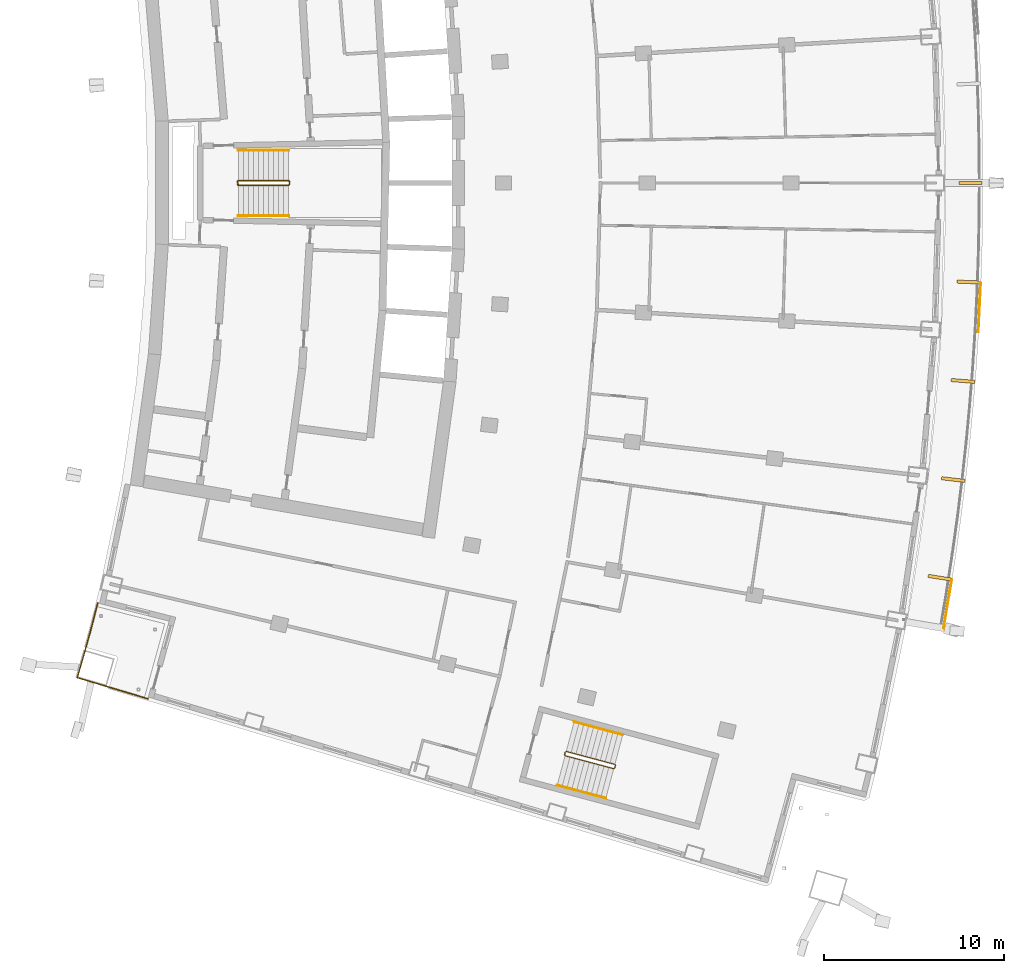
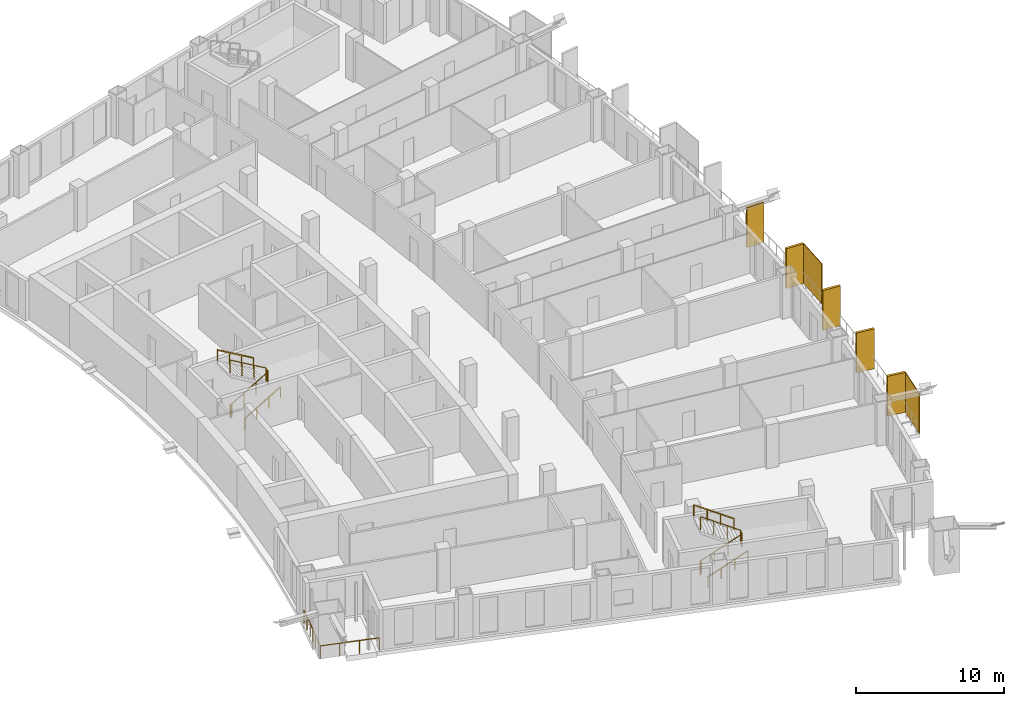
# One storey, part 20 of 22: 7 railings, 7 shading devices.
"""IFC4 building model written with IfcOpenShell, lengths in metres."""

from ifc_helpers import new_model, si_unit, direction, frame, origin, origin_with_axes, origin_2d, place, context, subcontext, project, spatial, rectangle, extrude, material, layer, layer_set, type_object, element, save


model = new_model("IFC4")

# Units and contexts
model_context = context("Model", 3, precision=1e-05, world=origin(), true_north=direction((0.0, 1.0)))
body_context = subcontext(model_context, "Body", "Model", "MODEL_VIEW")
ifc_project = project(units=[si_unit("LENGTHUNIT", "METRE"), si_unit("AREAUNIT", "SQUARE_METRE"), si_unit("VOLUMEUNIT", "CUBIC_METRE"), si_unit("PLANEANGLEUNIT", "RADIAN"), si_unit("MASSUNIT", "GRAM", prefix="KILO")], contexts=[model_context])

# Site, building, storey
site_placement = place(None, origin())
site = spatial("IfcSite", under=ifc_project, at=site_placement, CompositionType="ELEMENT")
building_placement = place(site_placement, origin())
building = spatial("IfcBuilding", under=site, at=building_placement, Name="Alderwake Tower", CompositionType="ELEMENT")
storey_placement = place(building_placement, frame((0.0, 0.0, 156.800048828125)))
storey = spatial("IfcBuildingStorey", under=building, at=storey_placement, Name="L38", CompositionType="ELEMENT", Elevation=156.800048828125)

# Railing
ifc_material_1 = material(Name="Stainless steel 316 rail and posts", Category="steel")
railing_type_1 = type_object("IfcRailingType", Name="Balcony guard 1100", PredefinedType="GUARDRAIL", material=ifc_material_1)
railing_1_placement = place(storey_placement, frame((13.210693359375, 37.612548828125, 0.0)))
element("IfcRailing", 1, at=railing_1_placement, inside=storey, type_object=railing_type_1, Name="Guard terrace RS", PredefinedType="GUARDRAIL", context=body_context, shape_type="SweptSolid", body=[
    extrude(rectangle(XDim=0.048095703125, YDim=0.048095703125, at=origin_2d()), frame((0.0, 0.0, 1.076171875), z_axis=(-0.251385381433, -0.967887075026, 0.0), x_axis=(0.967887075026, -0.251385381433, 0.0)), (0.0, 0.0, 1.0), 1.6015625),
    extrude(rectangle(XDim=0.048095703125, YDim=0.048095703125, at=origin_2d()), frame((-0.402587890625, -1.550048828125, 1.076171875), z_axis=(-0.266520638672, -0.963829211615, 0.0), x_axis=(0.963829211615, -0.266520638672, 0.0)), (0.0, 0.0, 1.0), 1.401611328125),
    extrude(rectangle(XDim=0.048095703125, YDim=0.048095703125, at=origin_2d()), frame((-0.776123046875, -2.90087890625, 1.076171875), z_axis=(-0.280093650878, -0.959972680204, 0.0), x_axis=(0.959972680204, -0.280093650878, 0.0)), (0.0, 0.0, 1.0), 1.30126953125),
    extrude(rectangle(XDim=0.048095703125, YDim=0.048095703125, at=origin_2d()), frame((-1.140625, -4.150146484375, 1.076171875), z_axis=(0.958066871889, -0.286544706789, 0.0), x_axis=(0.286544706789, 0.958066871889, 0.0)), (0.0, 0.0, 1.0), 4.099853515625),
    extrude(rectangle(XDim=0.0419921875, YDim=0.0419921875, at=origin_2d()), frame((0.0, 0.0, 0.0), z_axis=(0.0, 0.0, 1.0), x_axis=(-0.251385381433, -0.967887075026, 0.0)), (0.0, 0.0, 1.0), 1.052001953125),
    extrude(rectangle(XDim=0.0419921875, YDim=0.0419921875, at=origin_2d()), frame((-0.201171875, -0.77490234375, 0.0), z_axis=(0.0, 0.0, 1.0), x_axis=(-0.251385381433, -0.967887075026, 0.0)), (0.0, 0.0, 1.0), 1.052001953125),
    extrude(rectangle(XDim=0.0419921875, YDim=0.0419921875, at=origin_2d()), frame((-0.402587890625, -1.550048828125, 0.0), z_axis=(0.0, 0.0, 1.0), x_axis=(-0.266520638672, -0.963829211615, 0.0)), (0.0, 0.0, 1.0), 1.052001953125),
    extrude(rectangle(XDim=0.0419921875, YDim=0.0419921875, at=origin_2d()), frame((-0.58935546875, -2.2255859375, 0.0), z_axis=(0.0, 0.0, 1.0), x_axis=(-0.266520638672, -0.963829211615, 0.0)), (0.0, 0.0, 1.0), 1.052001953125),
    extrude(rectangle(XDim=0.0419921875, YDim=0.0419921875, at=origin_2d()), frame((-0.776123046875, -2.90087890625, 0.0), z_axis=(0.0, 0.0, 1.0), x_axis=(-0.280093650878, -0.959972680204, 0.0)), (0.0, 0.0, 1.0), 1.052001953125),
    extrude(rectangle(XDim=0.0419921875, YDim=0.0419921875, at=origin_2d()), frame((-1.140625, -4.150146484375, 0.0), z_axis=(0.0, 0.0, 1.0), x_axis=(0.958066871889, -0.286544706789, 0.0)), (0.0, 0.0, 1.0), 1.052001953125),
    extrude(rectangle(XDim=0.0419921875, YDim=0.0419921875, at=origin_2d()), frame((0.168701171875, -4.541748046875, 0.0), z_axis=(0.0, 0.0, 1.0), x_axis=(0.958066871889, -0.286544706789, 0.0)), (0.0, 0.0, 1.0), 1.052001953125),
    extrude(rectangle(XDim=0.0419921875, YDim=0.0419921875, at=origin_2d()), frame((1.47802734375, -4.933349609375, 0.0), z_axis=(0.0, 0.0, 1.0), x_axis=(0.958066871889, -0.286544706789, 0.0)), (0.0, 0.0, 1.0), 1.052001953125),
    extrude(rectangle(XDim=0.0419921875, YDim=0.0419921875, at=origin_2d()), frame((2.787353515625, -5.324951171875, 0.0), z_axis=(0.0, 0.0, 1.0), x_axis=(0.958066871889, -0.286544706789, 0.0)), (0.0, 0.0, 1.0), 1.052001953125),
])

# Shading devices
ifc_material_2 = material(Name="Bronze anodised aluminium", Category="aluminium")
ifc_layer_1 = layer(ifc_material_2, 0.179931640625)
ifc_layer_set_1 = layer_set([ifc_layer_1], Name="Facade fin 1300")
shading_device_type_1 = type_object("IfcShadingDeviceType", Name="Facade fin 1300", PredefinedType="USERDEFINED", material=ifc_layer_set_1)
for number, where, z_axis, x_axis, name in (
    (2, (60.0869140625, 39.02490234375, 0.0), (0.0, 0.0, 1.0), (0.987918787879, -0.154972476771, 0.0), "Fin"),
    (3, (60.83544921875, 44.489501953125, 0.0), (0.0, 0.0, 1.0), (0.993198315083, -0.116434990084, 0.0), "Fin"),
    (4, (61.37109375, 49.97900390625, 0.0), (0.0, 0.0, 1.0), (0.996975122026, -0.077721335943, 0.0), "Fin"),
    (5, (61.692626953125, 55.4853515625, 0.0), (0.0, 0.0, 1.0), (0.999243494356, -0.038890088543, 0.0), "Fin"),
    (6, (61.800048828125, 61.0, 0.0), (0.0, 0.0, 1.0), (1.0, 0.0, 0.0), "Fin"),
):
    element("IfcShadingDevice", number, at=place(storey_placement, frame(where, z_axis=z_axis, x_axis=x_axis)), inside=storey, type_object=shading_device_type_1, Name=name, ObjectType="FIN", PredefinedType="USERDEFINED", context=body_context, shape_type="SweptSolid", body=[
        extrude(rectangle(XDim=1.300048828125, YDim=0.179931640625, at=origin_2d()), origin(), (0.0, 0.0, 1.0), 3.280029296875),
    ])
ifc_material_3 = material(Name="Perforated bronze anodised aluminium", Category="aluminium")
ifc_layer_2 = layer(ifc_material_3, 0.050048828125)
ifc_layer_set_2 = layer_set([ifc_layer_2], Name="Perforated screen panel")
shading_device_type_2 = type_object("IfcShadingDeviceType", Name="Perforated screen panel", PredefinedType="USERDEFINED", material=ifc_layer_set_2)
for number, where, z_axis, x_axis, name in (
    (7, (60.5263671875, 37.55712890625, 0.0), (0.0, 0.0, 1.0), (0.986369013299, -0.164548380739, 0.0), "Screen panel"),
    (8, (62.300048828125, 54.078857421875, 0.0), (0.0, 0.0, 1.0), (0.998819231138, -0.048581308217, 0.0), "Screen panel"),
):
    element("IfcShadingDevice", number, at=place(storey_placement, frame(where, z_axis=z_axis, x_axis=x_axis)), inside=storey, type_object=shading_device_type_2, Name=name, ObjectType="SCREEN", PredefinedType="USERDEFINED", context=body_context, shape_type="SweptSolid", body=[
        extrude(rectangle(XDim=0.050048828125, YDim=2.763916015625, at=origin_2d()), origin(), (0.0, 0.0, 1.0), 3.280029296875),
    ])

# Railings
ifc_material_4 = material(Name="Stainless steel guard", Category="steel")
railing_type_2 = type_object("IfcRailingType", Name="Stair guard 1100", PredefinedType="GUARDRAIL", material=ifc_material_4)
railing_2_placement = place(storey_placement, frame((20.989990234375, 60.925048828125, 0.0)))
element("IfcRailing", 9, at=railing_2_placement, inside=storey, type_object=railing_type_2, Name="L38 ST-B stair guard 1", PredefinedType="GUARDRAIL", context=body_context, shape_type="SweptSolid", body=[
    extrude(rectangle(XDim=0.048095703125, YDim=0.048095703125, at=origin_2d()), frame((0.0, 0.0, 1.076171875), z_axis=(0.0, 1.0, 0.0), x_axis=(-1.0, 0.0, 0.0)), (0.0, 0.0, 1.0), 0.14990234375),
    extrude(rectangle(XDim=0.048095703125, YDim=0.048095703125, at=origin_2d()), frame((0.0, 0.14990234375, 1.076171875), z_axis=(0.190199549216, -0.759870394187, 0.621627795), x_axis=(0.970072785993, 0.242814311512, 0.0)), (0.0, 0.0, 1.0), 0.26318359375),
    extrude(rectangle(XDim=0.048095703125, YDim=0.048095703125, at=origin_2d()), frame((0.050048828125, -0.050048828125, 1.23974609375), z_axis=(0.863360870873, 0.0, 0.504586966384), x_axis=(0.0, 1.0, 0.0)), (0.0, 0.0, 1.0), 3.2431640625),
    extrude(rectangle(XDim=0.048095703125, YDim=0.048095703125, at=origin_2d()), frame((2.85009765625, -0.050048828125, 2.8759765625), z_axis=(0.705375805398, 0.708833529934, 0.0), x_axis=(-0.708833529934, 0.705375805398, 0.0)), (0.0, 0.0, 1.0), 0.070556640625),
    extrude(rectangle(XDim=0.048095703125, YDim=0.048095703125, at=origin_2d()), frame((2.89990234375, 0.0, 2.8759765625), z_axis=(0.0, 1.0, 0.0), x_axis=(-1.0, 0.0, 0.0)), (0.0, 0.0, 1.0), 0.14990234375),
    extrude(rectangle(XDim=0.048095703125, YDim=0.048095703125, at=origin_2d()), frame((2.89990234375, 0.14990234375, 2.8759765625), z_axis=(-0.279546231943, 0.280916556609, 0.91811752648), x_axis=(-0.708833529934, -0.705375805398, 0.0)), (0.0, 0.0, 1.0), 0.17822265625),
    extrude(rectangle(XDim=0.048095703125, YDim=0.048095703125, at=origin_2d()), frame((2.85009765625, 0.199951171875, 3.03955078125), z_axis=(-0.863393664356, 0.0, 0.504530851732), x_axis=(0.0, -1.0, 0.0)), (0.0, 0.0, 1.0), 3.2431640625),
    extrude(rectangle(XDim=0.0419921875, YDim=0.0419921875, at=origin_2d()), frame((0.0, 0.0, 0.0), z_axis=(0.0, 0.0, 1.0), x_axis=(0.0, 1.0, 0.0)), (0.0, 0.0, 1.0), 1.052001953125),
    extrude(rectangle(XDim=0.0419921875, YDim=0.0419921875, at=origin_2d()), frame((0.0, 0.14990234375, 0.0), z_axis=(0.0, 0.0, 1.0), x_axis=(0.242814311512, -0.970072785993, 0.0)), (0.0, 0.0, 1.0), 1.052001953125),
    extrude(rectangle(XDim=0.0419921875, YDim=0.0419921875, at=origin_2d()), frame((0.050048828125, -0.050048828125, 0.16357421875), z_axis=(0.0, 0.0, 1.0), x_axis=(1.0, 0.0, 0.0)), (0.0, 0.0, 1.0), 1.052001953125),
    extrude(rectangle(XDim=0.0419921875, YDim=0.0419921875, at=origin_2d()), frame((0.9833984375, -0.050048828125, 0.708984375), z_axis=(0.0, 0.0, 1.0), x_axis=(1.0, 0.0, 0.0)), (0.0, 0.0, 1.0), 1.052001953125),
    extrude(rectangle(XDim=0.0419921875, YDim=0.0419921875, at=origin_2d()), frame((1.916748046875, -0.050048828125, 1.254638671875), z_axis=(0.0, 0.0, 1.0), x_axis=(1.0, 0.0, 0.0)), (0.0, 0.0, 1.0), 1.052001953125),
    extrude(rectangle(XDim=0.0419921875, YDim=0.0419921875, at=origin_2d()), frame((2.85009765625, -0.050048828125, 1.800048828125), z_axis=(0.0, 0.0, 1.0), x_axis=(0.705375805398, 0.708833529934, 0.0)), (0.0, 0.0, 1.0), 1.052001953125),
    extrude(rectangle(XDim=0.0419921875, YDim=0.0419921875, at=origin_2d()), frame((2.89990234375, 0.0, 1.800048828125), z_axis=(0.0, 0.0, 1.0), x_axis=(0.0, 1.0, 0.0)), (0.0, 0.0, 1.0), 1.052001953125),
    extrude(rectangle(XDim=0.0419921875, YDim=0.0419921875, at=origin_2d()), frame((2.89990234375, 0.14990234375, 1.800048828125), z_axis=(0.0, 0.0, 1.0), x_axis=(-0.705375805398, 0.708833529934, 0.0)), (0.0, 0.0, 1.0), 1.052001953125),
    extrude(rectangle(XDim=0.0419921875, YDim=0.0419921875, at=origin_2d()), frame((2.85009765625, 0.199951171875, 1.963623046875), z_axis=(0.0, 0.0, 1.0), x_axis=(-1.0, 0.0, 0.0)), (0.0, 0.0, 1.0), 1.052001953125),
    extrude(rectangle(XDim=0.0419921875, YDim=0.0419921875, at=origin_2d()), frame((1.916748046875, 0.199951171875, 2.509033203125), z_axis=(0.0, 0.0, 1.0), x_axis=(-1.0, 0.0, 0.0)), (0.0, 0.0, 1.0), 1.052001953125),
    extrude(rectangle(XDim=0.0419921875, YDim=0.0419921875, at=origin_2d()), frame((0.9833984375, 0.199951171875, 3.054443359375), z_axis=(0.0, 0.0, 1.0), x_axis=(-1.0, 0.0, 0.0)), (0.0, 0.0, 1.0), 1.052001953125),
    extrude(rectangle(XDim=0.0419921875, YDim=0.0419921875, at=origin_2d()), frame((0.050048828125, 0.199951171875, 3.599853515625), z_axis=(0.0, 0.0, 1.0), x_axis=(-1.0, 0.0, 0.0)), (0.0, 0.0, 1.0), 1.052001953125),
])
railing_3_placement = place(storey_placement, frame((39.1943359375, 29.17431640625, 0.0)))
element("IfcRailing", 10, at=railing_3_placement, inside=storey, type_object=railing_type_2, Name="L38 ST-C stair guard 1", PredefinedType="GUARDRAIL", context=body_context, shape_type="SweptSolid", body=[
    extrude(rectangle(XDim=0.048095703125, YDim=0.048095703125, at=origin_2d()), frame((0.0, 0.0, 1.076171875), z_axis=(0.257459803502, 0.966289009345, 0.0), x_axis=(-0.966289009345, 0.257459803502, 0.0)), (0.0, 0.0, 1.0), 0.14990234375),
    extrude(rectangle(XDim=0.048095703125, YDim=0.048095703125, at=origin_2d()), frame((0.03857421875, 0.144775390625, 1.076171875), z_axis=(-0.012062893862, -0.783160186125, 0.621702991355), x_axis=(0.999881397308, -0.015401016783, 0.0)), (0.0, 0.0, 1.0), 0.26318359375),
    extrude(rectangle(XDim=0.048095703125, YDim=0.048095703125, at=origin_2d()), frame((0.035400390625, -0.061279296875, 1.23974609375), z_axis=(0.834281824786, -0.222214197128, 0.504573768072), x_axis=(0.257380452725, 0.966310148221, 0.0)), (0.0, 0.0, 1.0), 3.2431640625),
    extrude(rectangle(XDim=0.048095703125, YDim=0.048095703125, at=origin_2d()), frame((2.7412109375, -0.781982421875, 2.8759765625), z_axis=(0.865031189262, 0.501718089772, 0.0), x_axis=(-0.501718089772, 0.865031189262, 0.0)), (0.0, 0.0, 1.0), 0.070556640625),
    extrude(rectangle(XDim=0.048095703125, YDim=0.048095703125, at=origin_2d()), frame((2.80224609375, -0.74658203125, 2.8759765625), z_axis=(0.257055032184, 0.966396766566, 0.0), x_axis=(-0.966396766566, 0.257055032184, 0.0)), (0.0, 0.0, 1.0), 0.150146484375),
    extrude(rectangle(XDim=0.048095703125, YDim=0.048095703125, at=origin_2d()), frame((2.8408203125, -0.6015625, 2.8759765625), z_axis=(-0.198625291617, 0.343827228937, 0.91778583023), x_axis=(-0.865898279276, -0.500220121494, 0.0)), (0.0, 0.0, 1.0), 0.17822265625),
    extrude(rectangle(XDim=0.048095703125, YDim=0.048095703125, at=origin_2d()), frame((2.805419921875, -0.540283203125, 3.03955078125), z_axis=(-0.834290631165, 0.222236594766, 0.504549342183), x_axis=(-0.257402139082, -0.966304371715, 0.0)), (0.0, 0.0, 1.0), 3.242919921875),
    extrude(rectangle(XDim=0.0419921875, YDim=0.0419921875, at=origin_2d()), frame((0.0, 0.0, 0.0), z_axis=(0.0, 0.0, 1.0), x_axis=(0.257459803502, 0.966289009345, 0.0)), (0.0, 0.0, 1.0), 1.052001953125),
    extrude(rectangle(XDim=0.0419921875, YDim=0.0419921875, at=origin_2d()), frame((0.03857421875, 0.144775390625, 0.0), z_axis=(0.0, 0.0, 1.0), x_axis=(-0.015401016783, -0.999881397308, 0.0)), (0.0, 0.0, 1.0), 1.052001953125),
    extrude(rectangle(XDim=0.0419921875, YDim=0.0419921875, at=origin_2d()), frame((0.035400390625, -0.061279296875, 0.16357421875), z_axis=(0.0, 0.0, 1.0), x_axis=(0.966310148221, -0.257380452725, 0.0)), (0.0, 0.0, 1.0), 1.052001953125),
    extrude(rectangle(XDim=0.0419921875, YDim=0.0419921875, at=origin_2d()), frame((0.937255859375, -0.301513671875, 0.708984375), z_axis=(0.0, 0.0, 1.0), x_axis=(0.966310148221, -0.257380452725, 0.0)), (0.0, 0.0, 1.0), 1.052001953125),
    extrude(rectangle(XDim=0.0419921875, YDim=0.0419921875, at=origin_2d()), frame((1.83935546875, -0.541748046875, 1.254638671875), z_axis=(0.0, 0.0, 1.0), x_axis=(0.966310148221, -0.257380452725, 0.0)), (0.0, 0.0, 1.0), 1.052001953125),
    extrude(rectangle(XDim=0.0419921875, YDim=0.0419921875, at=origin_2d()), frame((2.7412109375, -0.781982421875, 1.800048828125), z_axis=(0.0, 0.0, 1.0), x_axis=(0.865031189262, 0.501718089772, 0.0)), (0.0, 0.0, 1.0), 1.052001953125),
    extrude(rectangle(XDim=0.0419921875, YDim=0.0419921875, at=origin_2d()), frame((2.80224609375, -0.74658203125, 1.800048828125), z_axis=(0.0, 0.0, 1.0), x_axis=(0.257055032184, 0.966396766566, 0.0)), (0.0, 0.0, 1.0), 1.052001953125),
    extrude(rectangle(XDim=0.0419921875, YDim=0.0419921875, at=origin_2d()), frame((2.8408203125, -0.6015625, 1.800048828125), z_axis=(0.0, 0.0, 1.0), x_axis=(-0.500220121494, 0.865898279276, 0.0)), (0.0, 0.0, 1.0), 1.052001953125),
    extrude(rectangle(XDim=0.0419921875, YDim=0.0419921875, at=origin_2d()), frame((2.805419921875, -0.540283203125, 1.963623046875), z_axis=(0.0, 0.0, 1.0), x_axis=(-0.966304371715, 0.257402139082, 0.0)), (0.0, 0.0, 1.0), 1.052001953125),
    extrude(rectangle(XDim=0.0419921875, YDim=0.0419921875, at=origin_2d()), frame((1.903564453125, -0.300048828125, 2.509033203125), z_axis=(0.0, 0.0, 1.0), x_axis=(-0.966304371715, 0.257402139082, 0.0)), (0.0, 0.0, 1.0), 1.052001953125),
    extrude(rectangle(XDim=0.0419921875, YDim=0.0419921875, at=origin_2d()), frame((1.001708984375, -0.059814453125, 3.054443359375), z_axis=(0.0, 0.0, 1.0), x_axis=(-0.966304371715, 0.257402139082, 0.0)), (0.0, 0.0, 1.0), 1.052001953125),
    extrude(rectangle(XDim=0.0419921875, YDim=0.0419921875, at=origin_2d()), frame((0.099853515625, 0.180419921875, 3.599853515625), z_axis=(0.0, 0.0, 1.0), x_axis=(-0.966304371715, 0.257402139082, 0.0)), (0.0, 0.0, 1.0), 1.052001953125),
])
ifc_material_5 = material(Name="Stainless steel handrail", Category="steel")
railing_type_3 = type_object("IfcRailingType", Name="Stair handrail 900", PredefinedType="HANDRAIL", material=ifc_material_5)
railing_4_placement = place(storey_placement, frame((21.0400390625, 59.175048828125, 0.16357421875)))
element("IfcRailing", 11, at=railing_4_placement, inside=storey, type_object=railing_type_3, Name="L38 ST-B stair handrail 1", PredefinedType="HANDRAIL", context=body_context, shape_type="SweptSolid", body=[
    extrude(rectangle(XDim=0.048095703125, YDim=0.048095703125, at=origin_2d()), frame((0.0, 0.0, 0.8759765625), z_axis=(0.863360870873, 0.0, 0.504586966384), x_axis=(0.0, 1.0, 0.0)), (0.0, 0.0, 1.0), 3.2431640625),
    extrude(rectangle(XDim=0.0419921875, YDim=0.0419921875, at=origin_2d()), origin_with_axes(), (0.0, 0.0, 1.0), 0.851806640625),
    extrude(rectangle(XDim=0.0419921875, YDim=0.0419921875, at=origin_2d()), frame((0.933349609375, 0.0, 0.54541015625), z_axis=(0.0, 0.0, 1.0), x_axis=(1.0, 0.0, 0.0)), (0.0, 0.0, 1.0), 0.851806640625),
    extrude(rectangle(XDim=0.0419921875, YDim=0.0419921875, at=origin_2d()), frame((1.86669921875, 0.0, 1.091064453125), z_axis=(0.0, 0.0, 1.0), x_axis=(1.0, 0.0, 0.0)), (0.0, 0.0, 1.0), 0.851806640625),
    extrude(rectangle(XDim=0.0419921875, YDim=0.0419921875, at=origin_2d()), frame((2.800048828125, 0.0, 1.636474609375), z_axis=(0.0, 0.0, 1.0), x_axis=(1.0, 0.0, 0.0)), (0.0, 0.0, 1.0), 0.851806640625),
])
railing_5_placement = place(storey_placement, frame((23.840087890625, 62.824951171875, 1.963623046875)))
element("IfcRailing", 12, at=railing_5_placement, inside=storey, type_object=railing_type_3, Name="L38 ST-B stair handrail 2", PredefinedType="HANDRAIL", context=body_context, shape_type="SweptSolid", body=[
    extrude(rectangle(XDim=0.048095703125, YDim=0.048095703125, at=origin_2d()), frame((0.0, 0.0, 0.8759765625), z_axis=(-0.863393664356, 0.0, 0.504530851732), x_axis=(0.0, -1.0, 0.0)), (0.0, 0.0, 1.0), 3.2431640625),
    extrude(rectangle(XDim=0.0419921875, YDim=0.0419921875, at=origin_2d()), frame((0.0, 0.0, 0.0), z_axis=(0.0, 0.0, 1.0), x_axis=(-1.0, 0.0, 0.0)), (0.0, 0.0, 1.0), 0.851806640625),
    extrude(rectangle(XDim=0.0419921875, YDim=0.0419921875, at=origin_2d()), frame((-0.933349609375, 0.0, 0.54541015625), z_axis=(0.0, 0.0, 1.0), x_axis=(-1.0, 0.0, 0.0)), (0.0, 0.0, 1.0), 0.851806640625),
    extrude(rectangle(XDim=0.0419921875, YDim=0.0419921875, at=origin_2d()), frame((-1.86669921875, 0.0, 1.0908203125), z_axis=(0.0, 0.0, 1.0), x_axis=(-1.0, 0.0, 0.0)), (0.0, 0.0, 1.0), 0.851806640625),
    extrude(rectangle(XDim=0.0419921875, YDim=0.0419921875, at=origin_2d()), frame((-2.800048828125, 0.0, 1.63623046875), z_axis=(0.0, 0.0, 1.0), x_axis=(-1.0, 0.0, 0.0)), (0.0, 0.0, 1.0), 0.851806640625),
])
railing_6_placement = place(storey_placement, frame((38.792236328125, 27.47021484375, 0.16357421875)))
element("IfcRailing", 13, at=railing_6_placement, inside=storey, type_object=railing_type_3, Name="L38 ST-C stair handrail 1", PredefinedType="HANDRAIL", context=body_context, shape_type="SweptSolid", body=[
    extrude(rectangle(XDim=0.048095703125, YDim=0.048095703125, at=origin_2d()), frame((0.0, 0.0, 0.8759765625), z_axis=(0.834272895437, -0.222156588561, 0.504613898043), x_axis=(0.25732071773, 0.966326056891, 0.0)), (0.0, 0.0, 1.0), 3.242919921875),
    extrude(rectangle(XDim=0.0419921875, YDim=0.0419921875, at=origin_2d()), frame((0.0, 0.0, 0.0), z_axis=(0.0, 0.0, 1.0), x_axis=(0.966326056891, -0.25732071773, 0.0)), (0.0, 0.0, 1.0), 0.851806640625),
    extrude(rectangle(XDim=0.0419921875, YDim=0.0419921875, at=origin_2d()), frame((0.90185546875, -0.240234375, 0.54541015625), z_axis=(0.0, 0.0, 1.0), x_axis=(0.966326056891, -0.25732071773, 0.0)), (0.0, 0.0, 1.0), 0.851806640625),
    extrude(rectangle(XDim=0.0419921875, YDim=0.0419921875, at=origin_2d()), frame((1.8037109375, -0.480224609375, 1.091064453125), z_axis=(0.0, 0.0, 1.0), x_axis=(0.966326056891, -0.25732071773, 0.0)), (0.0, 0.0, 1.0), 0.851806640625),
    extrude(rectangle(XDim=0.0419921875, YDim=0.0419921875, at=origin_2d()), frame((2.70556640625, -0.720458984375, 1.636474609375), z_axis=(0.0, 0.0, 1.0), x_axis=(0.966326056891, -0.25732071773, 0.0)), (0.0, 0.0, 1.0), 0.851806640625),
])
railing_7_placement = place(storey_placement, frame((42.437255859375, 30.276611328125, 1.963623046875)))
element("IfcRailing", 14, at=railing_7_placement, inside=storey, type_object=railing_type_3, Name="L38 ST-C stair handrail 2", PredefinedType="HANDRAIL", context=body_context, shape_type="SweptSolid", body=[
    extrude(rectangle(XDim=0.048095703125, YDim=0.048095703125, at=origin_2d()), frame((0.0, 0.0, 0.8759765625), z_axis=(-0.834290631165, 0.222236594766, 0.504549342183), x_axis=(-0.257402139082, -0.966304371715, 0.0)), (0.0, 0.0, 1.0), 3.242919921875),
    extrude(rectangle(XDim=0.0419921875, YDim=0.0419921875, at=origin_2d()), frame((0.0, 0.0, 0.0), z_axis=(0.0, 0.0, 1.0), x_axis=(-0.966304371715, 0.257402139082, 0.0)), (0.0, 0.0, 1.0), 0.851806640625),
    extrude(rectangle(XDim=0.0419921875, YDim=0.0419921875, at=origin_2d()), frame((-0.90185546875, 0.240234375, 0.54541015625), z_axis=(0.0, 0.0, 1.0), x_axis=(-0.966304371715, 0.257402139082, 0.0)), (0.0, 0.0, 1.0), 0.851806640625),
    extrude(rectangle(XDim=0.0419921875, YDim=0.0419921875, at=origin_2d()), frame((-1.8037109375, 0.48046875, 1.0908203125), z_axis=(0.0, 0.0, 1.0), x_axis=(-0.966304371715, 0.257402139082, 0.0)), (0.0, 0.0, 1.0), 0.851806640625),
    extrude(rectangle(XDim=0.0419921875, YDim=0.0419921875, at=origin_2d()), frame((-2.70556640625, 0.720703125, 1.63623046875), z_axis=(0.0, 0.0, 1.0), x_axis=(-0.966304371715, 0.257402139082, 0.0)), (0.0, 0.0, 1.0), 0.851806640625),
])

save(model, "model.ifc")
